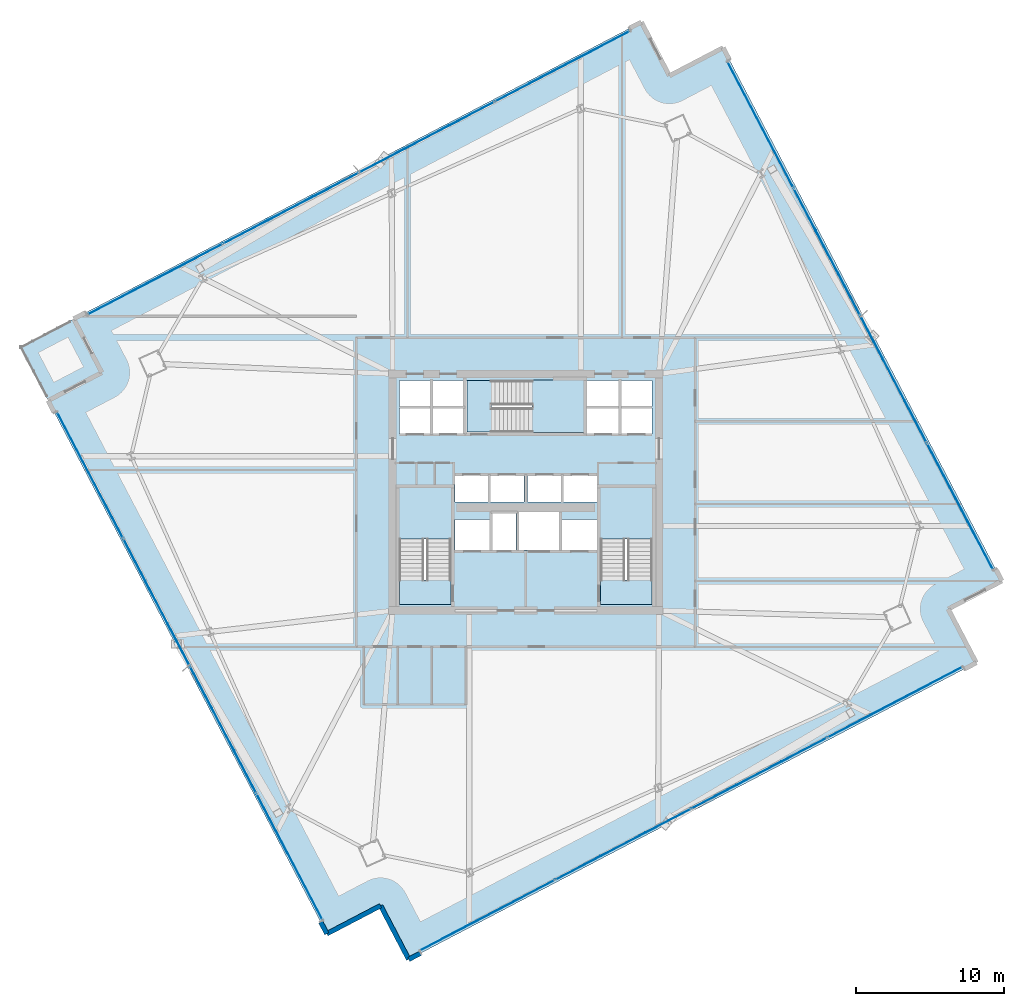
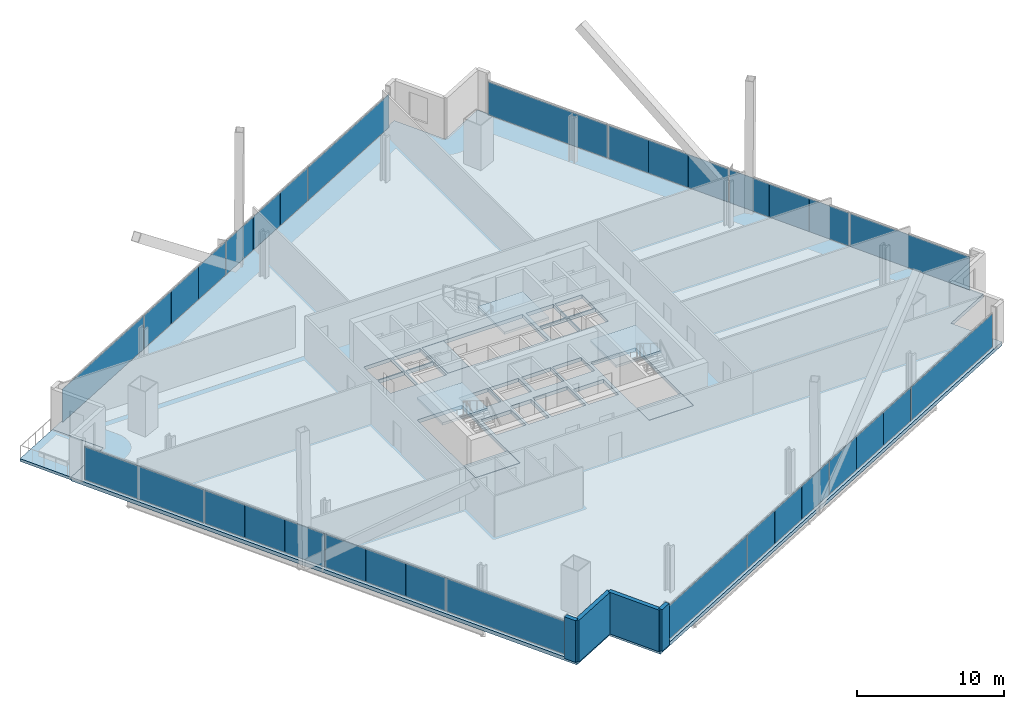
# One storey, part 25 of 33: 32 plates, 8 slabs, 4 walls, 7 elements without a shape of their own.
"""IFC4 building model written with IfcOpenShell, lengths in metres."""

from ifc_helpers import new_model, si_unit, direction, frame, frame_2d, origin, origin_2d, place, context, subcontext, project, spatial, polyline, rectangle, outline, extrude, source, transform, mapped, material, layer, layer_set, type_object, element, aggregate, save


model = new_model("IFC4")

# Units and contexts
model_context = context("Model", 3, precision=1e-05, world=origin(), true_north=direction((0.0, 1.0)))
body_context = subcontext(model_context, "Body", "Model", "MODEL_VIEW")
ifc_project = project(units=[si_unit("LENGTHUNIT", "METRE"), si_unit("AREAUNIT", "SQUARE_METRE"), si_unit("VOLUMEUNIT", "CUBIC_METRE"), si_unit("PLANEANGLEUNIT", "RADIAN"), si_unit("MASSUNIT", "GRAM", prefix="KILO")], contexts=[model_context])

# Site, building, storey
site_placement = place(None, origin())
site = spatial("IfcSite", under=ifc_project, at=site_placement, CompositionType="ELEMENT")
building_placement = place(site_placement, origin())
building = spatial("IfcBuilding", under=site, at=building_placement, Name="Haldenkirk Collegiate Tower", CompositionType="ELEMENT")
storey_placement = place(building_placement, frame((0.0, 0.0, 120.449951171875)))
storey = spatial("IfcBuildingStorey", under=building, at=storey_placement, Name="L29", CompositionType="ELEMENT", Elevation=120.449951171875)

# Slab
ifc_material_1 = material(Name="Concrete f'c 40 MPa", Category="concrete")
ifc_layer_1 = layer(ifc_material_1, 0.300048828125)
ifc_layer_set_1 = layer_set([ifc_layer_1], Name="Concrete f'c 40 MPa")
slab_type_1 = type_object("IfcSlabType", Name="SLB-FLR-300", PredefinedType="FLOOR", material=ifc_layer_set_1)
slab_1_placement = place(storey_placement, frame((0.0, 0.0, -0.300048828125)))
element("IfcSlab", 1, at=slab_1_placement, inside=storey, type_object=slab_type_1, Name="L29 composite structural floor slab", PredefinedType="FLOOR", context=body_context, shape_type="SweptSolid", body=[
    extrude(outline(polyline([(28.08349609375, -5.58740234375), (66.4560546875, 14.473388671875), (64.556396484375, 18.10693359375), (68.18994140625, 20.00634765625), (49.34521484375, 56.052734375), (45.7119140625, 54.1533203125), (43.8125, 57.78662109375), (5.439697265625, 37.725830078125), (7.33935546875, 34.092529296875), (3.705810546875, 32.193115234375), (22.55029296875, -3.853271484375), (26.183837890625, -1.953857421875), (28.08349609375, -5.58740234375)]), holes=[polyline([(27.449951171875, 18.39990234375), (30.949951171875, 18.39990234375), (30.949951171875, 26.300048828125), (27.449951171875, 26.300048828125), (27.449951171875, 18.39990234375)]), polyline([(41.050048828125, 18.39990234375), (44.550048828125, 18.39990234375), (44.550048828125, 26.300048828125), (41.050048828125, 26.300048828125), (41.050048828125, 18.39990234375)]), polyline([(32.0, 30.050048828125), (39.89990234375, 30.050048828125), (39.89990234375, 33.550048828125), (32.0, 33.550048828125), (32.0, 30.050048828125)]), polyline([(33.75, 22.10009765625), (35.35009765625, 22.10009765625), (35.35009765625, 24.550048828125), (33.75, 24.550048828125), (33.75, 22.10009765625)]), polyline([(27.449951171875, 29.949951171875), (29.580078125, 29.949951171875), (29.580078125, 31.699951171875), (27.449951171875, 31.699951171875), (27.449951171875, 29.949951171875)]), polyline([(29.679931640625, 29.949951171875), (31.85009765625, 29.949951171875), (31.85009765625, 31.699951171875), (29.679931640625, 31.699951171875), (29.679931640625, 29.949951171875)]), polyline([(27.449951171875, 31.800048828125), (29.580078125, 31.800048828125), (29.580078125, 33.550048828125), (27.449951171875, 33.550048828125), (27.449951171875, 31.800048828125)]), polyline([(29.679931640625, 31.800048828125), (31.85009765625, 31.800048828125), (31.85009765625, 33.550048828125), (29.679931640625, 33.550048828125), (29.679931640625, 31.800048828125)]), polyline([(40.14990234375, 29.949951171875), (42.320068359375, 29.949951171875), (42.320068359375, 31.699951171875), (40.14990234375, 31.699951171875), (40.14990234375, 29.949951171875)]), polyline([(42.419921875, 29.949951171875), (44.550048828125, 29.949951171875), (44.550048828125, 31.699951171875), (42.419921875, 31.699951171875), (42.419921875, 29.949951171875)]), polyline([(40.14990234375, 31.800048828125), (42.320068359375, 31.800048828125), (42.320068359375, 33.550048828125), (40.14990234375, 33.550048828125), (40.14990234375, 31.800048828125)]), polyline([(42.419921875, 31.800048828125), (44.550048828125, 31.800048828125), (44.550048828125, 33.550048828125), (42.419921875, 33.550048828125), (42.419921875, 31.800048828125)]), polyline([(31.199951171875, 25.35009765625), (33.47998046875, 25.35009765625), (33.47998046875, 27.14990234375), (31.199951171875, 27.14990234375), (31.199951171875, 25.35009765625)]), polyline([(33.60009765625, 25.35009765625), (35.8798828125, 25.35009765625), (35.8798828125, 27.14990234375), (33.60009765625, 27.14990234375), (33.60009765625, 25.35009765625)]), polyline([(36.1201171875, 25.35009765625), (38.39990234375, 25.35009765625), (38.39990234375, 27.14990234375), (36.1201171875, 27.14990234375), (36.1201171875, 25.35009765625)]), polyline([(38.52001953125, 25.35009765625), (40.800048828125, 25.35009765625), (40.800048828125, 27.14990234375), (38.52001953125, 27.14990234375), (38.52001953125, 25.35009765625)]), polyline([(31.199951171875, 22.10009765625), (33.550048828125, 22.10009765625), (33.550048828125, 24.14990234375), (31.199951171875, 24.14990234375), (31.199951171875, 22.10009765625)]), polyline([(38.449951171875, 22.10009765625), (40.800048828125, 22.10009765625), (40.800048828125, 24.14990234375), (38.449951171875, 24.14990234375), (38.449951171875, 22.10009765625)]), polyline([(35.550048828125, 22.10009765625), (38.25, 22.10009765625), (38.25, 24.64990234375), (35.550048828125, 24.64990234375), (35.550048828125, 22.10009765625)])]), origin(), (0.0, 0.0, 1.0), 0.300048828125),
])

# Stair, slab
stair_type = type_object("IfcStairType", Name="STR-DOGLEG-1650", PredefinedType="HALF_TURN_STAIR", material=ifc_material_1)
stair_1_placement = place(storey_placement, origin())
stair_1 = element("IfcStair", 2, at=stair_1_placement, inside=storey, type_object=stair_type, Name="L29 Core Exit Stair ST-1", PredefinedType="HALF_TURN_STAIR")
ifc_layer_2 = layer(ifc_material_1, 0.199951171875)
ifc_layer_set_2 = layer_set([ifc_layer_2], Name="Concrete f'c 40 MPa")
slab_type_2 = type_object("IfcSlabType", Name="SLB-LANDING-200", PredefinedType="LANDING", material=ifc_layer_set_2)
slab_2_placement = place(storey_placement, frame((0.0, 0.0, 1.675048828125)))
slab_2 = element("IfcSlab", 3, at=slab_2_placement, type_object=slab_type_2, Name="ST-1 landing 1", PredefinedType="LANDING", context=body_context, shape_type="SweptSolid", body=[
    extrude(outline(polyline([(30.97509765625, 22.824951171875), (27.425048828125, 22.824951171875), (27.425048828125, 26.324951171875), (30.97509765625, 26.324951171875), (30.97509765625, 22.824951171875)])), origin(), (0.0, 0.0, 1.0), 0.199951171875),
])
aggregate(stair_1, [slab_2])

stair_2_placement = place(storey_placement, origin())
stair_2 = element("IfcStair", 4, at=stair_2_placement, inside=storey, type_object=stair_type, Name="L29 Core Exit Stair ST-2", PredefinedType="HALF_TURN_STAIR")
slab_3_placement = place(storey_placement, frame((0.0, 0.0, 1.675048828125)))
slab_3 = element("IfcSlab", 5, at=slab_3_placement, type_object=slab_type_2, Name="ST-2 landing 1", PredefinedType="LANDING", context=body_context, shape_type="SweptSolid", body=[
    extrude(outline(polyline([(44.574951171875, 22.824951171875), (41.02490234375, 22.824951171875), (41.02490234375, 26.324951171875), (44.574951171875, 26.324951171875), (44.574951171875, 22.824951171875)])), origin(), (0.0, 0.0, 1.0), 0.199951171875),
])
aggregate(stair_2, [slab_3])

stair_3_placement = place(storey_placement, origin())
stair_3 = element("IfcStair", 6, at=stair_3_placement, inside=storey, type_object=stair_type, Name="L29 Core Exit Stair ST-3", PredefinedType="HALF_TURN_STAIR")
slab_4_placement = place(storey_placement, frame((0.0, 0.0, 1.675048828125)))
slab_4 = element("IfcSlab", 7, at=slab_4_placement, type_object=slab_type_2, Name="ST-3 landing 1", PredefinedType="LANDING", context=body_context, shape_type="SweptSolid", body=[
    extrude(outline(polyline([(36.425048828125, 30.02490234375), (36.425048828125, 33.574951171875), (39.925048828125, 33.574951171875), (39.925048828125, 30.02490234375), (36.425048828125, 30.02490234375)])), origin(), (0.0, 0.0, 1.0), 0.199951171875),
])
aggregate(stair_3, [slab_4])

# Slabs
ifc_layer_3 = layer(ifc_material_1, 0.25)
ifc_layer_set_3 = layer_set([ifc_layer_3], Name="Concrete f'c 40 MPa")
slab_type_3 = type_object("IfcSlabType", Name="SLB-STAIRLAND-250", PredefinedType="LANDING", material=ifc_layer_set_3)
slab_5_placement = place(storey_placement, frame((0.0, 0.0, -0.25)))
element("IfcSlab", 8, at=slab_5_placement, inside=storey, type_object=slab_type_3, Name="L29 stair ST1 structural floor landing slab", PredefinedType="LANDING", context=body_context, shape_type="SweptSolid", body=[
    extrude(outline(polyline([(27.4599609375, 18.409912109375), (30.93994140625, 18.409912109375), (30.93994140625, 20.080078125), (27.4599609375, 20.080078125), (27.4599609375, 18.409912109375)])), origin(), (0.0, 0.0, 1.0), 0.25),
])
slab_6_placement = place(storey_placement, frame((0.0, 0.0, -0.25)))
element("IfcSlab", 9, at=slab_6_placement, inside=storey, type_object=slab_type_3, Name="L29 stair ST2 structural floor landing slab", PredefinedType="LANDING", context=body_context, shape_type="SweptSolid", body=[
    extrude(outline(polyline([(41.06005859375, 18.409912109375), (44.5400390625, 18.409912109375), (44.5400390625, 20.080078125), (41.06005859375, 20.080078125), (41.06005859375, 18.409912109375)])), origin(), (0.0, 0.0, 1.0), 0.25),
])
slab_7_placement = place(storey_placement, frame((0.0, 0.0, -0.25)))
element("IfcSlab", 10, at=slab_7_placement, inside=storey, type_object=slab_type_3, Name="L29 stair ST3 structural floor landing slab", PredefinedType="LANDING", context=body_context, shape_type="SweptSolid", body=[
    extrude(outline(polyline([(32.010009765625, 30.06005859375), (33.679931640625, 30.06005859375), (33.679931640625, 33.5400390625), (32.010009765625, 33.5400390625), (32.010009765625, 30.06005859375)])), origin(), (0.0, 0.0, 1.0), 0.25),
])
ifc_layer_4 = layer(ifc_material_1, 0.22998046875)
ifc_layer_set_4 = layer_set([ifc_layer_4], Name="Concrete f'c 40 MPa")
slab_type_4 = type_object("IfcSlabType", Name="SLB-TERR-SPIRAL-230", PredefinedType="FLOOR", material=ifc_layer_set_4)
slab_8_placement = place(storey_placement, frame((0.0, 0.0, -0.22998046875)))
element("IfcSlab", 11, at=slab_8_placement, inside=storey, type_object=slab_type_4, Name="L29 spiralling corner terrace slab", PredefinedType="FLOOR", context=body_context, shape_type="SweptSolid", body=[
    extrude(outline(polyline([(3.705810546875, 32.193115234375), (7.33935546875, 34.092529296875), (5.439697265625, 37.725830078125), (1.806396484375, 35.826416015625), (3.705810546875, 32.193115234375)])), origin(), (0.0, 0.0, 1.0), 0.22998046875),
])

# Curtain wall, plates
ifc_material_2 = material(Name="Anodised architectural bronze aluminium", Category="aluminium")
curtain_wall_type_1 = type_object("IfcCurtainWallType", Name="CW-SYS2-CONCAVE", PredefinedType="USERDEFINED", material=ifc_material_2)
curtain_wall_1_placement = place(storey_placement, origin())
curtain_wall_1 = element("IfcCurtainWall", 12, at=curtain_wall_1_placement, inside=storey, type_object=curtain_wall_type_1, Name="L29 South concave recessed bronze-anodised curtain wall", ObjectType="UNITISED CURTAIN WALL", PredefinedType="USERDEFINED")
ifc_material_3 = material(Name="Low-E argon triple insulating glass", Category="glass")
ifc_layer_5 = layer(ifc_material_3, 0.0419921875)
ifc_layer_set_5 = layer_set([ifc_layer_5], Name="Low-E argon triple insulating glass")
plate_type_1 = type_object("IfcPlateType", Name="CW-PNL-02", PredefinedType="CURTAIN_PANEL", material=ifc_layer_set_5)
shared_shape_1 = source(origin(), body_context, "Body", "SweptSolid", [
    extrude(rectangle(XDim=10.262451171875, YDim=0.0419921875, at=origin_2d()), origin(), (0.0, 0.0, 1.0), 2.7509765625),
])
plate_1_placement = place(storey_placement, frame((60.961181640625, 11.803955078125, 0.074951171875), z_axis=(0.0, 0.0, 1.0), x_axis=(-0.886203184309, -0.463296790536, 0.0)))
plate_1 = element("IfcPlate", 13, at=plate_1_placement, type_object=plate_type_1, Name="CW-02 panel 1.1", PredefinedType="CURTAIN_PANEL", context=body_context, shape_type="MappedRepresentation", body=[
    mapped(shared_shape_1, transform((0.0, 0.0, 0.0), x_axis=(1.0, 0.0, 0.0), y_axis=(0.0, 1.0, 0.0), z_axis=(0.0, 0.0, 1.0), scale=1.0)),
])
plate_2_placement = place(storey_placement, frame((33.411376953125, -2.598876953125, 0.074951171875), z_axis=(0.0, 0.0, 1.0), x_axis=(-0.886203184309, -0.463296790536, 0.0)))
plate_2 = element("IfcPlate", 14, at=plate_2_placement, type_object=plate_type_1, Name="CW-02 panel 4.1", PredefinedType="CURTAIN_PANEL", context=body_context, shape_type="MappedRepresentation", body=[
    mapped(shared_shape_1, transform((0.0, 0.0, 0.0), x_axis=(1.0, 0.0, 0.0), y_axis=(0.0, 1.0, 0.0), z_axis=(0.0, 0.0, 1.0), scale=1.0)),
])
shared_shape_2 = source(origin(), body_context, "Body", "SweptSolid", [
    extrude(rectangle(XDim=3.4208984375, YDim=0.0419921875, at=origin_2d()), origin(), (0.0, 0.0, 1.0), 2.7509765625),
])
plate_3_placement = place(storey_placement, frame((54.83154296875, 8.599609375, 0.074951171875), z_axis=(0.0, 0.0, 1.0), x_axis=(-0.886203184309, -0.463296790536, 0.0)))
plate_3 = element("IfcPlate", 15, at=plate_3_placement, type_object=plate_type_1, Name="CW-02 panel 2.1a", PredefinedType="CURTAIN_PANEL", context=body_context, shape_type="MappedRepresentation", body=[
    mapped(shared_shape_2, transform((0.0, 0.0, 0.0), x_axis=(1.0, 0.0, 0.0), y_axis=(0.0, 1.0, 0.0), z_axis=(0.0, 0.0, 1.0), scale=1.0)),
])
ifc_material_4 = material(Name="Bronze-anodised insulated aluminium spandrel panel", Category="aluminium")
ifc_layer_6 = layer(ifc_material_4, 0.0419921875)
ifc_layer_set_6 = layer_set([ifc_layer_6], Name="Bronze-anodised insulated aluminium spandrel panel")
plate_type_2 = type_object("IfcPlateType", Name="CW-SPD-02", PredefinedType="CURTAIN_PANEL", material=ifc_layer_set_6)
plate_4_placement = place(storey_placement, frame((48.7353515625, 5.412353515625, 0.074951171875), z_axis=(0.0, 0.0, 1.0), x_axis=(-0.886203184309, -0.463296790536, 0.0)))
plate_4 = element("IfcPlate", 16, at=plate_4_placement, type_object=plate_type_2, Name="CW-02 spandrel panel 2.1c", PredefinedType="CURTAIN_PANEL", context=body_context, shape_type="MappedRepresentation", body=[
    mapped(shared_shape_2, transform((0.0, 0.0, 0.0), x_axis=(1.0, 0.0, 0.0), y_axis=(0.0, 1.0, 0.0), z_axis=(0.0, 0.0, 1.0), scale=1.0)),
])
plate_5_placement = place(storey_placement, frame((45.63720703125, 3.792724609375, 0.074951171875), z_axis=(0.0, 0.0, 1.0), x_axis=(-0.886203184309, -0.463296790536, 0.0)))
plate_5 = element("IfcPlate", 17, at=plate_5_placement, type_object=plate_type_2, Name="CW-02 spandrel panel 3.1a", PredefinedType="CURTAIN_PANEL", context=body_context, shape_type="MappedRepresentation", body=[
    mapped(shared_shape_2, transform((0.0, 0.0, 0.0), x_axis=(1.0, 0.0, 0.0), y_axis=(0.0, 1.0, 0.0), z_axis=(0.0, 0.0, 1.0), scale=1.0)),
])
plate_6_placement = place(storey_placement, frame((39.541015625, 0.605712890625, 0.074951171875), z_axis=(0.0, 0.0, 1.0), x_axis=(-0.886203184309, -0.463296790536, 0.0)))
plate_6 = element("IfcPlate", 18, at=plate_6_placement, type_object=plate_type_1, Name="CW-02 panel 3.1c", PredefinedType="CURTAIN_PANEL", context=body_context, shape_type="MappedRepresentation", body=[
    mapped(shared_shape_2, transform((0.0, 0.0, 0.0), x_axis=(1.0, 0.0, 0.0), y_axis=(0.0, 1.0, 0.0), z_axis=(0.0, 0.0, 1.0), scale=1.0)),
])
shared_shape_3 = source(origin(), body_context, "Body", "SweptSolid", [
    extrude(rectangle(XDim=3.408203125, YDim=0.0419921875, at=origin_2d()), origin(), (0.0, 0.0, 1.0), 2.7509765625),
])
plate_7_placement = place(storey_placement, frame((51.783447265625, 7.006103515625, 0.074951171875), z_axis=(0.0, 0.0, 1.0), x_axis=(-0.886203184309, -0.463296790536, 0.0)))
plate_7 = element("IfcPlate", 19, at=plate_7_placement, type_object=plate_type_1, Name="CW-02 panel 2.1b", PredefinedType="CURTAIN_PANEL", context=body_context, shape_type="MappedRepresentation", body=[
    mapped(shared_shape_3, transform((0.0, 0.0, 0.0), x_axis=(1.0, 0.0, 0.0), y_axis=(0.0, 1.0, 0.0), z_axis=(0.0, 0.0, 1.0), scale=1.0)),
])
plate_8_placement = place(storey_placement, frame((42.589111328125, 2.19921875, 0.074951171875), z_axis=(0.0, 0.0, 1.0), x_axis=(-0.886203184309, -0.463296790536, 0.0)))
plate_8 = element("IfcPlate", 20, at=plate_8_placement, type_object=plate_type_1, Name="CW-02 panel 3.1b", PredefinedType="CURTAIN_PANEL", context=body_context, shape_type="MappedRepresentation", body=[
    mapped(shared_shape_3, transform((0.0, 0.0, 0.0), x_axis=(1.0, 0.0, 0.0), y_axis=(0.0, 1.0, 0.0), z_axis=(0.0, 0.0, 1.0), scale=1.0)),
])
aggregate(curtain_wall_1, [plate_1, plate_3, plate_7, plate_4, plate_5, plate_8, plate_6, plate_2])

curtain_wall_type_2 = type_object("IfcCurtainWallType", Name="CW-SYS1-CONVEX-LOW", PredefinedType="USERDEFINED", material=ifc_material_2)
curtain_wall_2_placement = place(storey_placement, origin())
curtain_wall_2 = element("IfcCurtainWall", 21, at=curtain_wall_2_placement, inside=storey, type_object=curtain_wall_type_2, Name="L29 Lower tower convex bronze-framed unitised curtain wall", ObjectType="UNITISED CURTAIN WALL", PredefinedType="USERDEFINED")
ifc_layer_7 = layer(ifc_material_3, 0.0439453125)
ifc_layer_set_7 = layer_set([ifc_layer_7], Name="Low-E argon triple insulating glass")
plate_type_3 = type_object("IfcPlateType", Name="CW-PNL-1A", PredefinedType="CURTAIN_PANEL", material=ifc_layer_set_7)
shared_shape_4 = source(origin(), body_context, "Body", "SweptSolid", [
    extrude(rectangle(XDim=9.5986328125, YDim=0.0439453125, at=origin_2d()), origin(), (0.0, 0.0, 1.0), 2.740966796875),
])
plate_9_placement = place(storey_placement, frame((51.86328125, 50.84765625, 0.080078125), z_axis=(0.0, 0.0, 1.0), x_axis=(0.463296038507, -0.88620357746, 0.0)))
plate_9 = element("IfcPlate", 22, at=plate_9_placement, type_object=plate_type_3, Name="CW-1A panel 1.1", PredefinedType="CURTAIN_PANEL", context=body_context, shape_type="MappedRepresentation", body=[
    mapped(shared_shape_4, transform((0.0, 0.0, 0.0), x_axis=(1.0, 0.0, 0.0), y_axis=(0.0, 1.0, 0.0), z_axis=(0.0, 0.0, 1.0), scale=1.0)),
])
plate_10_placement = place(storey_placement, frame((65.352783203125, 25.044677734375, 0.080078125), z_axis=(0.0, 0.0, 1.0), x_axis=(0.463296038507, -0.88620357746, 0.0)))
plate_10 = element("IfcPlate", 23, at=plate_10_placement, type_object=plate_type_3, Name="CW-1A panel 4.1", PredefinedType="CURTAIN_PANEL", context=body_context, shape_type="MappedRepresentation", body=[
    mapped(shared_shape_4, transform((0.0, 0.0, 0.0), x_axis=(1.0, 0.0, 0.0), y_axis=(0.0, 1.0, 0.0), z_axis=(0.0, 0.0, 1.0), scale=1.0)),
])

curtain_wall_3_placement = place(storey_placement, origin())
curtain_wall_3 = element("IfcCurtainWall", 24, at=curtain_wall_3_placement, inside=storey, type_object=curtain_wall_type_2, Name="L29 Lower tower convex bronze-framed unitised curtain wall", ObjectType="UNITISED CURTAIN WALL", PredefinedType="USERDEFINED")
plate_11_placement = place(storey_placement, frame((20.0322265625, 1.351806640625, 0.080078125), z_axis=(0.0, 0.0, 1.0), x_axis=(-0.463294018292, 0.8862046336, 0.0)))
plate_11 = element("IfcPlate", 25, at=plate_11_placement, type_object=plate_type_3, Name="CW-1A panel 1.1", PredefinedType="CURTAIN_PANEL", context=body_context, shape_type="MappedRepresentation", body=[
    mapped(shared_shape_4, transform((0.0, 0.0, 0.0), x_axis=(1.0, 0.0, 0.0), y_axis=(0.0, 1.0, 0.0), z_axis=(0.0, 0.0, 1.0), scale=1.0)),
])
plate_12_placement = place(storey_placement, frame((6.54296875, 27.15478515625, 0.080078125), z_axis=(0.0, 0.0, 1.0), x_axis=(-0.463294018292, 0.8862046336, 0.0)))
plate_12 = element("IfcPlate", 26, at=plate_12_placement, type_object=plate_type_3, Name="CW-1A panel 4.1", PredefinedType="CURTAIN_PANEL", context=body_context, shape_type="MappedRepresentation", body=[
    mapped(shared_shape_4, transform((0.0, 0.0, 0.0), x_axis=(1.0, 0.0, 0.0), y_axis=(0.0, 1.0, 0.0), z_axis=(0.0, 0.0, 1.0), scale=1.0)),
])

# Plate
shared_shape_5 = source(origin(), body_context, "Body", "SweptSolid", [
    extrude(rectangle(XDim=3.200439453125, YDim=0.0439453125, at=origin_2d()), origin(), (0.0, 0.0, 1.0), 2.740966796875),
])
plate_13_placement = place(storey_placement, frame((54.865478515625, 45.10546875, 0.080078125), z_axis=(0.0, 0.0, 1.0), x_axis=(0.463296038507, -0.88620357746, 0.0)))
plate_13 = element("IfcPlate", 27, at=plate_13_placement, type_object=plate_type_3, Name="CW-1A panel 2.1a", PredefinedType="CURTAIN_PANEL", context=body_context, shape_type="MappedRepresentation", body=[
    mapped(shared_shape_5, transform((0.0, 0.0, 0.0), x_axis=(1.0, 0.0, 0.0), y_axis=(0.0, 1.0, 0.0), z_axis=(0.0, 0.0, 1.0), scale=1.0)),
])

ifc_layer_8 = layer(ifc_material_4, 0.0439453125)
ifc_layer_set_8 = layer_set([ifc_layer_8], Name="Bronze-anodised insulated aluminium spandrel panel")
plate_type_4 = type_object("IfcPlateType", Name="CW-SPD-1A", PredefinedType="CURTAIN_PANEL", material=ifc_layer_set_8)
plate_14_placement = place(storey_placement, frame((57.84814453125, 39.399658203125, 0.080078125), z_axis=(0.0, 0.0, 1.0), x_axis=(0.463296038507, -0.88620357746, 0.0)))
plate_14 = element("IfcPlate", 28, at=plate_14_placement, type_object=plate_type_4, Name="CW-1A spandrel panel 2.1c", PredefinedType="CURTAIN_PANEL", context=body_context, shape_type="MappedRepresentation", body=[
    mapped(shared_shape_5, transform((0.0, 0.0, 0.0), x_axis=(1.0, 0.0, 0.0), y_axis=(0.0, 1.0, 0.0), z_axis=(0.0, 0.0, 1.0), scale=1.0)),
])

plate_15_placement = place(storey_placement, frame((59.367919921875, 36.49267578125, 0.080078125), z_axis=(0.0, 0.0, 1.0), x_axis=(0.463296038507, -0.88620357746, 0.0)))
plate_15 = element("IfcPlate", 29, at=plate_15_placement, type_object=plate_type_4, Name="CW-1A spandrel panel 3.1a", PredefinedType="CURTAIN_PANEL", context=body_context, shape_type="MappedRepresentation", body=[
    mapped(shared_shape_5, transform((0.0, 0.0, 0.0), x_axis=(1.0, 0.0, 0.0), y_axis=(0.0, 1.0, 0.0), z_axis=(0.0, 0.0, 1.0), scale=1.0)),
])

plate_16_placement = place(storey_placement, frame((62.350830078125, 30.786865234375, 0.080078125), z_axis=(0.0, 0.0, 1.0), x_axis=(0.463296038507, -0.88620357746, 0.0)))
plate_16 = element("IfcPlate", 30, at=plate_16_placement, type_object=plate_type_3, Name="CW-1A panel 3.1c", PredefinedType="CURTAIN_PANEL", context=body_context, shape_type="MappedRepresentation", body=[
    mapped(shared_shape_5, transform((0.0, 0.0, 0.0), x_axis=(1.0, 0.0, 0.0), y_axis=(0.0, 1.0, 0.0), z_axis=(0.0, 0.0, 1.0), scale=1.0)),
])

plate_17_placement = place(storey_placement, frame((17.030517578125, 7.093994140625, 0.080078125), z_axis=(0.0, 0.0, 1.0), x_axis=(-0.463294018292, 0.8862046336, 0.0)))
plate_17 = element("IfcPlate", 31, at=plate_17_placement, type_object=plate_type_3, Name="CW-1A panel 2.1a", PredefinedType="CURTAIN_PANEL", context=body_context, shape_type="MappedRepresentation", body=[
    mapped(shared_shape_5, transform((0.0, 0.0, 0.0), x_axis=(1.0, 0.0, 0.0), y_axis=(0.0, 1.0, 0.0), z_axis=(0.0, 0.0, 1.0), scale=1.0)),
])

plate_18_placement = place(storey_placement, frame((14.047607421875, 12.7998046875, 0.080078125), z_axis=(0.0, 0.0, 1.0), x_axis=(-0.463294018292, 0.8862046336, 0.0)))
plate_18 = element("IfcPlate", 32, at=plate_18_placement, type_object=plate_type_4, Name="CW-1A spandrel panel 2.1c", PredefinedType="CURTAIN_PANEL", context=body_context, shape_type="MappedRepresentation", body=[
    mapped(shared_shape_5, transform((0.0, 0.0, 0.0), x_axis=(1.0, 0.0, 0.0), y_axis=(0.0, 1.0, 0.0), z_axis=(0.0, 0.0, 1.0), scale=1.0)),
])

plate_19_placement = place(storey_placement, frame((12.52783203125, 15.706787109375, 0.080078125), z_axis=(0.0, 0.0, 1.0), x_axis=(-0.463294018292, 0.8862046336, 0.0)))
plate_19 = element("IfcPlate", 33, at=plate_19_placement, type_object=plate_type_4, Name="CW-1A spandrel panel 3.1a", PredefinedType="CURTAIN_PANEL", context=body_context, shape_type="MappedRepresentation", body=[
    mapped(shared_shape_5, transform((0.0, 0.0, 0.0), x_axis=(1.0, 0.0, 0.0), y_axis=(0.0, 1.0, 0.0), z_axis=(0.0, 0.0, 1.0), scale=1.0)),
])

plate_20_placement = place(storey_placement, frame((9.544921875, 21.41259765625, 0.080078125), z_axis=(0.0, 0.0, 1.0), x_axis=(-0.463294018292, 0.8862046336, 0.0)))
plate_20 = element("IfcPlate", 34, at=plate_20_placement, type_object=plate_type_3, Name="CW-1A panel 3.1c", PredefinedType="CURTAIN_PANEL", context=body_context, shape_type="MappedRepresentation", body=[
    mapped(shared_shape_5, transform((0.0, 0.0, 0.0), x_axis=(1.0, 0.0, 0.0), y_axis=(0.0, 1.0, 0.0), z_axis=(0.0, 0.0, 1.0), scale=1.0)),
])

shared_shape_6 = source(origin(), body_context, "Body", "SweptSolid", [
    extrude(rectangle(XDim=3.18798828125, YDim=0.0439453125, at=origin_2d()), origin(), (0.0, 0.0, 1.0), 2.740966796875),
])
plate_21_placement = place(storey_placement, frame((56.356689453125, 42.25244140625, 0.080078125), z_axis=(0.0, 0.0, 1.0), x_axis=(0.463296038507, -0.88620357746, 0.0)))
plate_21 = element("IfcPlate", 35, at=plate_21_placement, type_object=plate_type_3, Name="CW-1A panel 2.1b", PredefinedType="CURTAIN_PANEL", context=body_context, shape_type="MappedRepresentation", body=[
    mapped(shared_shape_6, transform((0.0, 0.0, 0.0), x_axis=(1.0, 0.0, 0.0), y_axis=(0.0, 1.0, 0.0), z_axis=(0.0, 0.0, 1.0), scale=1.0)),
])

plate_22_placement = place(storey_placement, frame((60.859375, 33.639892578125, 0.080078125), z_axis=(0.0, 0.0, 1.0), x_axis=(0.463296038507, -0.88620357746, 0.0)))
plate_22 = element("IfcPlate", 36, at=plate_22_placement, type_object=plate_type_3, Name="CW-1A panel 3.1b", PredefinedType="CURTAIN_PANEL", context=body_context, shape_type="MappedRepresentation", body=[
    mapped(shared_shape_6, transform((0.0, 0.0, 0.0), x_axis=(1.0, 0.0, 0.0), y_axis=(0.0, 1.0, 0.0), z_axis=(0.0, 0.0, 1.0), scale=1.0)),
])

aggregate(curtain_wall_2, [plate_9, plate_13, plate_21, plate_14, plate_15, plate_22, plate_16, plate_10])

plate_23_placement = place(storey_placement, frame((15.5390625, 9.947021484375, 0.080078125), z_axis=(0.0, 0.0, 1.0), x_axis=(-0.463294018292, 0.8862046336, 0.0)))
plate_23 = element("IfcPlate", 37, at=plate_23_placement, type_object=plate_type_3, Name="CW-1A panel 2.1b", PredefinedType="CURTAIN_PANEL", context=body_context, shape_type="MappedRepresentation", body=[
    mapped(shared_shape_6, transform((0.0, 0.0, 0.0), x_axis=(1.0, 0.0, 0.0), y_axis=(0.0, 1.0, 0.0), z_axis=(0.0, 0.0, 1.0), scale=1.0)),
])

plate_24_placement = place(storey_placement, frame((11.036376953125, 18.5595703125, 0.080078125), z_axis=(0.0, 0.0, 1.0), x_axis=(-0.463294018292, 0.8862046336, 0.0)))
plate_24 = element("IfcPlate", 38, at=plate_24_placement, type_object=plate_type_3, Name="CW-1A panel 3.1b", PredefinedType="CURTAIN_PANEL", context=body_context, shape_type="MappedRepresentation", body=[
    mapped(shared_shape_6, transform((0.0, 0.0, 0.0), x_axis=(1.0, 0.0, 0.0), y_axis=(0.0, 1.0, 0.0), z_axis=(0.0, 0.0, 1.0), scale=1.0)),
])

aggregate(curtain_wall_3, [plate_11, plate_17, plate_23, plate_18, plate_19, plate_24, plate_20, plate_12])

# Curtain wall, plates
curtain_wall_4_placement = place(storey_placement, origin())
curtain_wall_4 = element("IfcCurtainWall", 39, at=curtain_wall_4_placement, inside=storey, type_object=curtain_wall_type_2, Name="L29 Lower tower convex bronze-framed unitised curtain wall", ObjectType="UNITISED CURTAIN WALL", PredefinedType="USERDEFINED")
shared_shape_7 = source(origin(), body_context, "Body", "SweptSolid", [
    extrude(rectangle(XDim=10.2548828125, YDim=0.0439453125, at=origin_2d()), origin(), (0.0, 0.0, 1.0), 2.740966796875),
])
plate_25_placement = place(storey_placement, frame((10.935791015625, 40.39599609375, 0.080078125), z_axis=(0.0, 0.0, 1.0), x_axis=(0.886203184309, 0.463296790536, 0.0)))
plate_25 = element("IfcPlate", 40, at=plate_25_placement, type_object=plate_type_3, Name="CW-1A panel 1.1", PredefinedType="CURTAIN_PANEL", context=body_context, shape_type="MappedRepresentation", body=[
    mapped(shared_shape_7, transform((0.0, 0.0, 0.0), x_axis=(1.0, 0.0, 0.0), y_axis=(0.0, 1.0, 0.0), z_axis=(0.0, 0.0, 1.0), scale=1.0)),
])
plate_26_placement = place(storey_placement, frame((38.4833984375, 54.797607421875, 0.080078125), z_axis=(0.0, 0.0, 1.0), x_axis=(0.886203184309, 0.463296790536, 0.0)))
plate_26 = element("IfcPlate", 41, at=plate_26_placement, type_object=plate_type_3, Name="CW-1A panel 4.1", PredefinedType="CURTAIN_PANEL", context=body_context, shape_type="MappedRepresentation", body=[
    mapped(shared_shape_7, transform((0.0, 0.0, 0.0), x_axis=(1.0, 0.0, 0.0), y_axis=(0.0, 1.0, 0.0), z_axis=(0.0, 0.0, 1.0), scale=1.0)),
])
shared_shape_8 = source(origin(), body_context, "Body", "SweptSolid", [
    extrude(rectangle(XDim=3.419189453125, YDim=0.0439453125, at=origin_2d()), origin(), (0.0, 0.0, 1.0), 2.740966796875),
])
plate_27_placement = place(storey_placement, frame((17.065673828125, 43.6005859375, 0.080078125), z_axis=(0.0, 0.0, 1.0), x_axis=(0.886203184309, 0.463296790536, 0.0)))
plate_27 = element("IfcPlate", 42, at=plate_27_placement, type_object=plate_type_3, Name="CW-1A panel 2.1a", PredefinedType="CURTAIN_PANEL", context=body_context, shape_type="MappedRepresentation", body=[
    mapped(shared_shape_8, transform((0.0, 0.0, 0.0), x_axis=(1.0, 0.0, 0.0), y_axis=(0.0, 1.0, 0.0), z_axis=(0.0, 0.0, 1.0), scale=1.0)),
])
plate_28_placement = place(storey_placement, frame((23.158935546875, 46.7861328125, 0.080078125), z_axis=(0.0, 0.0, 1.0), x_axis=(0.886203184309, 0.463296790536, 0.0)))
plate_28 = element("IfcPlate", 43, at=plate_28_placement, type_object=plate_type_4, Name="CW-1A spandrel panel 2.1c", PredefinedType="CURTAIN_PANEL", context=body_context, shape_type="MappedRepresentation", body=[
    mapped(shared_shape_8, transform((0.0, 0.0, 0.0), x_axis=(1.0, 0.0, 0.0), y_axis=(0.0, 1.0, 0.0), z_axis=(0.0, 0.0, 1.0), scale=1.0)),
])
plate_29_placement = place(storey_placement, frame((26.260009765625, 48.407470703125, 0.080078125), z_axis=(0.0, 0.0, 1.0), x_axis=(0.886203184309, 0.463296790536, 0.0)))
plate_29 = element("IfcPlate", 44, at=plate_29_placement, type_object=plate_type_4, Name="CW-1A spandrel panel 3.1a", PredefinedType="CURTAIN_PANEL", context=body_context, shape_type="MappedRepresentation", body=[
    mapped(shared_shape_8, transform((0.0, 0.0, 0.0), x_axis=(1.0, 0.0, 0.0), y_axis=(0.0, 1.0, 0.0), z_axis=(0.0, 0.0, 1.0), scale=1.0)),
])
plate_30_placement = place(storey_placement, frame((32.353515625, 51.593017578125, 0.080078125), z_axis=(0.0, 0.0, 1.0), x_axis=(0.886203184309, 0.463296790536, 0.0)))
plate_30 = element("IfcPlate", 45, at=plate_30_placement, type_object=plate_type_3, Name="CW-1A panel 3.1c", PredefinedType="CURTAIN_PANEL", context=body_context, shape_type="MappedRepresentation", body=[
    mapped(shared_shape_8, transform((0.0, 0.0, 0.0), x_axis=(1.0, 0.0, 0.0), y_axis=(0.0, 1.0, 0.0), z_axis=(0.0, 0.0, 1.0), scale=1.0)),
])
shared_shape_9 = source(origin(), body_context, "Body", "SweptSolid", [
    extrude(rectangle(XDim=3.40673828125, YDim=0.0439453125, at=origin_2d()), origin(), (0.0, 0.0, 1.0), 2.740966796875),
])
plate_31_placement = place(storey_placement, frame((20.1123046875, 45.193359375, 0.080078125), z_axis=(0.0, 0.0, 1.0), x_axis=(0.886203184309, 0.463296790536, 0.0)))
plate_31 = element("IfcPlate", 46, at=plate_31_placement, type_object=plate_type_3, Name="CW-1A panel 2.1b", PredefinedType="CURTAIN_PANEL", context=body_context, shape_type="MappedRepresentation", body=[
    mapped(shared_shape_9, transform((0.0, 0.0, 0.0), x_axis=(1.0, 0.0, 0.0), y_axis=(0.0, 1.0, 0.0), z_axis=(0.0, 0.0, 1.0), scale=1.0)),
])
plate_32_placement = place(storey_placement, frame((29.306640625, 50.000244140625, 0.080078125), z_axis=(0.0, 0.0, 1.0), x_axis=(0.886203184309, 0.463296790536, 0.0)))
plate_32 = element("IfcPlate", 47, at=plate_32_placement, type_object=plate_type_3, Name="CW-1A panel 3.1b", PredefinedType="CURTAIN_PANEL", context=body_context, shape_type="MappedRepresentation", body=[
    mapped(shared_shape_9, transform((0.0, 0.0, 0.0), x_axis=(1.0, 0.0, 0.0), y_axis=(0.0, 1.0, 0.0), z_axis=(0.0, 0.0, 1.0), scale=1.0)),
])
aggregate(curtain_wall_4, [plate_25, plate_27, plate_31, plate_28, plate_29, plate_32, plate_30, plate_26])

# Walls
ifc_material_5 = material(Name="Precast concrete f'c 40 MPa", Category="concrete")
ifc_layer_9 = layer(ifc_material_5, 0.320068359375)
ifc_layer_set_9 = layer_set([ifc_layer_9], Name="Precast concrete f'c 40 MPa")
wall_type = type_object("IfcWallType", Name="WL-EXT-TWR-320", PredefinedType="STANDARD", material=ifc_layer_set_9)
for number, where, z_axis, x_axis, name in (
    (48, (28.881103515625, -5.17041015625, 0.0), (0.0, 0.0, 1.0), (-0.886197601348, -0.463307469575, 0.0), "L29 precast corner pier SR"),
    (49, (22.55029296875, -3.853271484375, 0.0), (0.0, 0.0, 1.0), (-0.463307469575, 0.886197601348, 0.0), "L29 precast corner pier WL"),
):
    element("IfcWall", number, at=place(storey_placement, frame(where, z_axis=z_axis, x_axis=x_axis)), inside=storey, type_object=wall_type, Name=name, PredefinedType="STANDARD", context=body_context, shape_type="SweptSolid", body=[
        extrude(rectangle(XDim=0.900146484375, YDim=0.320068359375, at=frame_2d((0.4501953125, 0.0))), origin(), (0.0, 0.0, 1.0), 3.449951171875),
    ])
for number, where, z_axis, x_axis, name in (
    (50, (26.183837890625, -1.953857421875, 0.0), (0.0, 0.0, 1.0), (-0.886219332293, -0.463265901044, 0.0), "L29 bronze precast notch wall 11"),
    (51, (28.08349609375, -5.58740234375, 0.0), (0.0, 0.0, 1.0), (-0.463312665427, 0.886194884918, 0.0), "L29 bronze precast notch wall 12"),
):
    element("IfcWall", number, at=place(storey_placement, frame(where, z_axis=z_axis, x_axis=x_axis)), inside=storey, type_object=wall_type, Name=name, PredefinedType="STANDARD", context=body_context, shape_type="SweptSolid", body=[
        extrude(rectangle(XDim=4.10009765625, YDim=0.320068359375, at=frame_2d((2.050048828125, 0.0))), origin(), (0.0, 0.0, 1.0), 3.449951171875),
    ])

save(model, "model.ifc")
